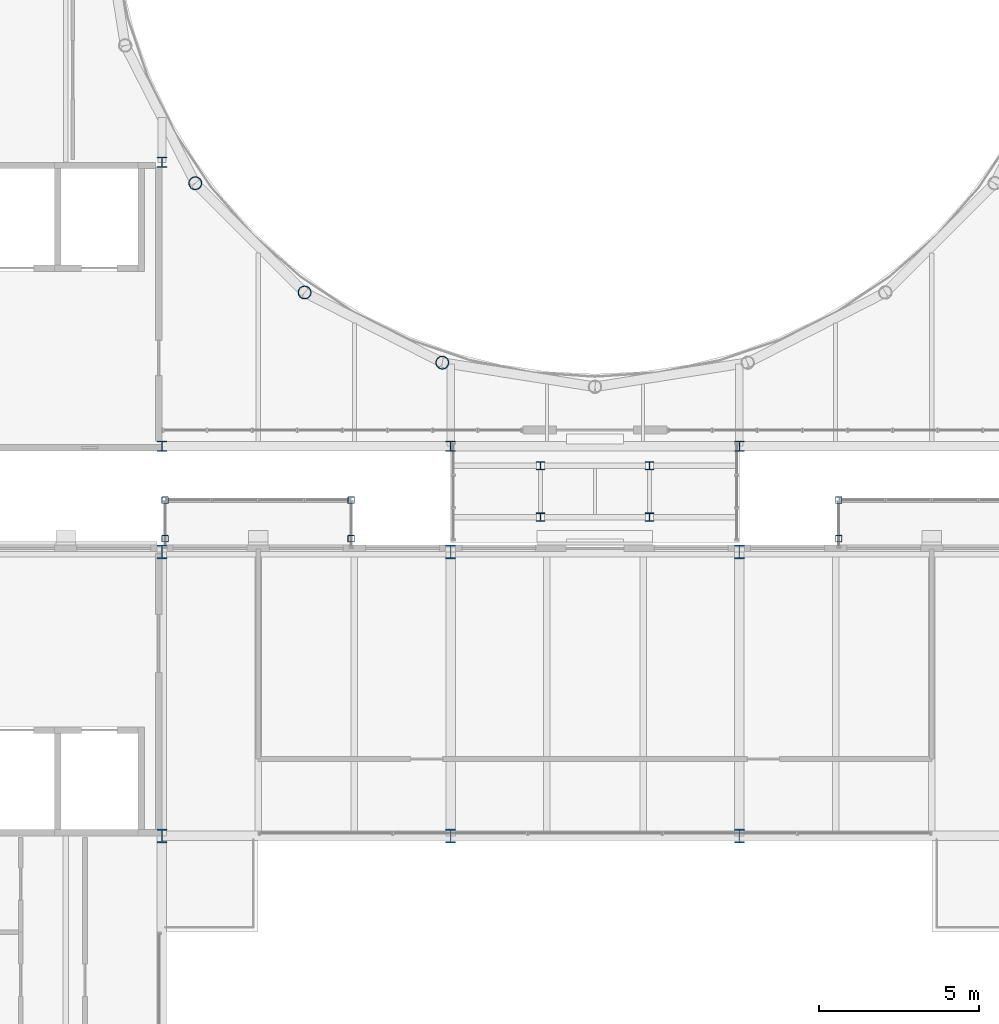
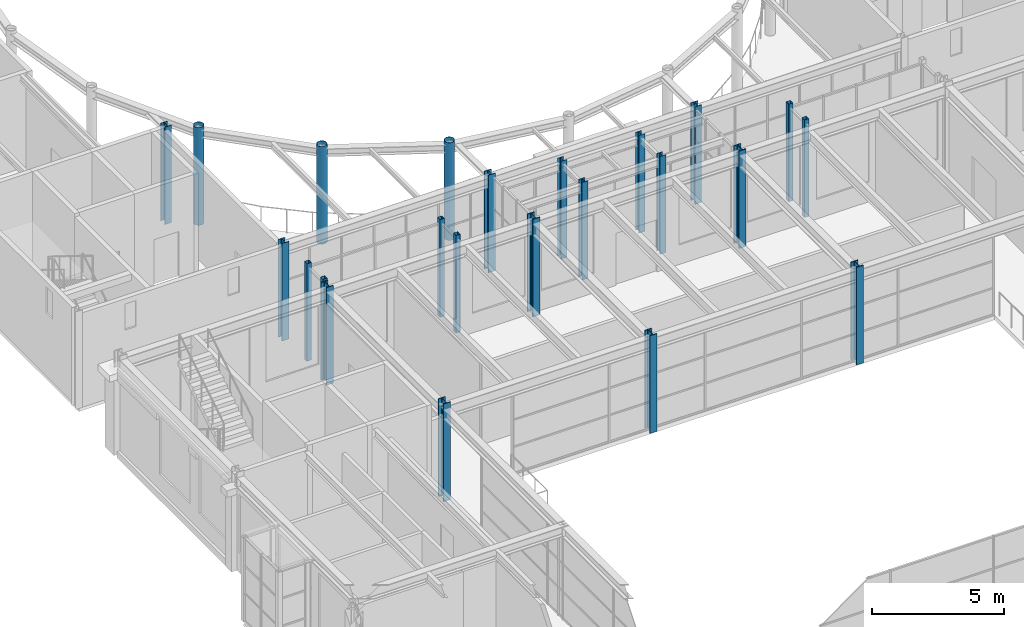
# One storey, part 8 of 111: 23 columns.
"""IFC4 building model written with IfcOpenShell, lengths in metres."""

from ifc_helpers import new_model, si_unit, direction, frame, origin, origin_2d, place, context, subcontext, project, spatial, hollow_rectangle, hollow_circle, i_section, extrude, material, material_profile, profile_set, type_object, element, save


model = new_model("IFC4")

# Units and contexts
model_context = context("Model", 3, precision=1e-05, world=origin(), true_north=direction((0.0, 1.0)))
body_context = subcontext(model_context, "Body", "Model", "MODEL_VIEW")
ifc_project = project(units=[si_unit("LENGTHUNIT", "METRE"), si_unit("AREAUNIT", "SQUARE_METRE"), si_unit("VOLUMEUNIT", "CUBIC_METRE"), si_unit("PLANEANGLEUNIT", "RADIAN"), si_unit("MASSUNIT", "GRAM", prefix="KILO")], contexts=[model_context])

# Site, building, storey
site_placement = place(None, origin())
site = spatial("IfcSite", under=ifc_project, at=site_placement, CompositionType="ELEMENT")
building_placement = place(site_placement, origin())
building = spatial("IfcBuilding", under=site, at=building_placement, Name="Kallimachos Central Library", CompositionType="ELEMENT")
storey_placement = place(building_placement, frame((0.0, 0.0, 14.39990234375)))
storey = spatial("IfcBuildingStorey", under=building, at=storey_placement, Name="L03", CompositionType="ELEMENT", Elevation=14.39990234375)

# Columns
ifc_material_1 = material(Name="Steel S355J2H", Category="steel")
ifc_material_profile_1 = material_profile(ifc_material_1, hollow_circle(Radius=0.203125, WallThickness=0.01611328125, at=origin_2d()), Name="CHS 406.4x16")
ifc_profile_set_1 = profile_set([ifc_material_profile_1], Name="Steel S355J2H")
column_type_1 = type_object("IfcColumnType", Name="CHS 406.4x16 column", PredefinedType="COLUMN", material=ifc_profile_set_1)
for number, where, z_axis, x_axis, name in (
    (1, (75.541015625, 95.34814453125, 0.0), (0.0, 0.0, 1.0), (1.0, 0.0, 0.0), "V1-COL-L03-027"),
    (2, (78.947998046875, 91.941162109375, 0.0), (0.0, 0.0, 1.0), (1.0, 0.0, 0.0), "V1-COL-L03-028"),
    (3, (83.2412109375, 89.753662109375, 0.0), (0.0, 0.0, 1.0), (1.0, 0.0, 0.0), "V1-COL-L03-029"),
):
    element("IfcColumn", number, at=place(storey_placement, frame(where, z_axis=z_axis, x_axis=x_axis)), inside=storey, type_object=column_type_1, Name=name, PredefinedType="COLUMN", context=body_context, shape_type="SweptSolid", body=[
        extrude(hollow_circle(Radius=0.203125, WallThickness=0.01611328125, at=origin_2d()), origin(), (0.0, 0.0, 1.0), 4.5),
    ])
ifc_material_2 = material(Name="Steel S355J2", Category="steel")
ifc_material_profile_2 = material_profile(ifc_material_2, i_section(OverallWidth=0.260009765625, OverallDepth=0.260009765625, WebThickness=0.010009765625, FlangeThickness=0.017578125, FilletRadius=0.02392578125, at=origin_2d()), Name="HEB 260")
ifc_profile_set_2 = profile_set([ifc_material_profile_2], Name="Steel S355J2")
column_type_2 = type_object("IfcColumnType", Name="HEB 260 column", PredefinedType="COLUMN", material=ifc_profile_set_2)
for number, where, z_axis, x_axis, name in (
    (4, (86.300048828125, 84.9375, 0.0), (0.0, 0.0, 1.0), (1.0, 0.0, 0.0), "Reading Link column"),
    (5, (86.300048828125, 86.53759765625, 0.0), (0.0, 0.0, 1.0), (1.0, 0.0, 0.0), "Reading Link column"),
    (6, (89.699951171875, 84.9375, 0.0), (0.0, 0.0, 1.0), (1.0, 0.0, 0.0), "Reading Link column"),
    (7, (89.699951171875, 86.53759765625, 0.0), (0.0, 0.0, 1.0), (1.0, 0.0, 0.0), "Reading Link column"),
):
    element("IfcColumn", number, at=place(storey_placement, frame(where, z_axis=z_axis, x_axis=x_axis)), inside=storey, type_object=column_type_2, Name=name, PredefinedType="COLUMN", context=body_context, shape_type="SweptSolid", body=[
        extrude(i_section(OverallWidth=0.260009765625, OverallDepth=0.260009765625, WebThickness=0.010009765625, FlangeThickness=0.017578125, FilletRadius=0.02392578125, at=origin_2d()), origin(), (0.0, 0.0, 1.0), 4.5),
    ])
ifc_material_3 = material(Name="Steel S355J2", Category="steel")
ifc_material_profile_3 = material_profile(ifc_material_3, i_section(OverallWidth=0.300048828125, OverallDepth=0.320068359375, WebThickness=0.011474609375, FlangeThickness=0.0205078125, FilletRadius=0.027099609375, at=origin_2d()), Name="HEB 320")
ifc_profile_set_3 = profile_set([ifc_material_profile_3], Name="Steel S355J2")
column_type_3 = type_object("IfcColumnType", Name="HEB 320 column", PredefinedType="COLUMN", material=ifc_profile_set_3)
for number, where, z_axis, x_axis, name in (
    (8, (74.5, 87.14990234375, 0.0), (0.0, 0.0, 1.0), (1.0, 0.0, 0.0), "V1-COL-L03-002"),
    (9, (83.5, 87.14990234375, 0.0), (0.0, 0.0, 1.0), (1.0, 0.0, 0.0), "V1-COL-L03-003"),
    (10, (92.5, 87.14990234375, 0.0), (0.0, 0.0, 1.0), (1.0, 0.0, 0.0), "V1-COL-L03-004"),
    (11, (74.5, 96.0, 0.0), (0.0, 0.0, 1.0), (1.0, 0.0, 0.0), "V1-COL-L03-008"),
):
    element("IfcColumn", number, at=place(storey_placement, frame(where, z_axis=z_axis, x_axis=x_axis)), inside=storey, type_object=column_type_3, Name=name, PredefinedType="COLUMN", context=body_context, shape_type="SweptSolid", body=[
        extrude(i_section(OverallWidth=0.300048828125, OverallDepth=0.320068359375, WebThickness=0.011474609375, FlangeThickness=0.0205078125, FilletRadius=0.027099609375, at=origin_2d()), origin(), (0.0, 0.0, 1.0), 4.5),
    ])
ifc_material_4 = material(Name="Steel S355J2", Category="steel")
ifc_material_profile_4 = material_profile(ifc_material_4, i_section(OverallWidth=0.306884765625, OverallDepth=0.431884765625, WebThickness=0.02099609375, FlangeThickness=0.0400390625, FilletRadius=0.027099609375, at=origin_2d()), Name="HEM 400")
ifc_profile_set_4 = profile_set([ifc_material_profile_4], Name="Steel S355J2")
column_type_4 = type_object("IfcColumnType", Name="HEM 400 column", PredefinedType="COLUMN", material=ifc_profile_set_4)
for number, where, z_axis, x_axis, name in (
    (12, (74.5, 75.0, 0.0), (0.0, 0.0, 1.0), (1.0, 0.0, 0.0), "V4-COL-L03-008"),
    (13, (83.5, 75.0, 0.0), (0.0, 0.0, 1.0), (1.0, 0.0, 0.0), "V4-COL-L03-009"),
    (14, (92.5, 75.0, 0.0), (0.0, 0.0, 1.0), (1.0, 0.0, 0.0), "V4-COL-L03-010"),
    (15, (74.5, 83.85009765625, 0.0), (0.0, 0.0, 1.0), (1.0, 0.0, 0.0), "V4-COL-L03-014"),
    (16, (83.5, 83.85009765625, 0.0), (0.0, 0.0, 1.0), (1.0, 0.0, 0.0), "V4-COL-L03-015"),
    (17, (92.5, 83.85009765625, 0.0), (0.0, 0.0, 1.0), (1.0, 0.0, 0.0), "V4-COL-L03-016"),
):
    element("IfcColumn", number, at=place(storey_placement, frame(where, z_axis=z_axis, x_axis=x_axis)), inside=storey, type_object=column_type_4, Name=name, PredefinedType="COLUMN", context=body_context, shape_type="SweptSolid", body=[
        extrude(i_section(OverallWidth=0.306884765625, OverallDepth=0.431884765625, WebThickness=0.02099609375, FlangeThickness=0.0400390625, FilletRadius=0.027099609375, at=origin_2d()), origin(), (0.0, 0.0, 1.0), 4.5),
    ])
ifc_material_5 = material(Name="Steel S355J2H", Category="steel")
ifc_material_profile_5 = material_profile(ifc_material_5, hollow_rectangle(XDim=0.199951171875, YDim=0.199951171875, WallThickness=0.010009765625, InnerFilletRadius=0.010009765625, OuterFilletRadius=0.014892578125, at=origin_2d()), Name="SHS 200x200x10")
ifc_profile_set_5 = profile_set([ifc_material_profile_5], Name="Steel S355J2H")
column_type_5 = type_object("IfcColumnType", Name="SHS 200x200x10 column", PredefinedType="COLUMN", material=ifc_profile_set_5)
for number, where, z_axis, x_axis, name in (
    (18, (74.60009765625, 84.26611328125, 0.0), (0.0, 0.0, 1.0), (1.0, 0.0, 0.0), "Tribune bay N1 column 1"),
    (19, (80.39990234375, 84.26611328125, 0.0), (0.0, 0.0, 1.0), (1.0, 0.0, 0.0), "Tribune bay N1 column 2"),
    (20, (74.60009765625, 85.466064453125, 0.0), (0.0, 0.0, 1.0), (1.0, 0.0, 0.0), "Tribune bay N1 column 3"),
    (21, (80.39990234375, 85.466064453125, 0.0), (0.0, 0.0, 1.0), (1.0, 0.0, 0.0), "Tribune bay N1 column 4"),
    (22, (95.60009765625, 84.26611328125, 0.0), (0.0, 0.0, 1.0), (1.0, 0.0, 0.0), "Tribune bay N2 column 1"),
    (23, (95.60009765625, 85.466064453125, 0.0), (0.0, 0.0, 1.0), (1.0, 0.0, 0.0), "Tribune bay N2 column 3"),
):
    element("IfcColumn", number, at=place(storey_placement, frame(where, z_axis=z_axis, x_axis=x_axis)), inside=storey, type_object=column_type_5, Name=name, PredefinedType="COLUMN", context=body_context, shape_type="SweptSolid", body=[
        extrude(hollow_rectangle(XDim=0.199951171875, YDim=0.199951171875, WallThickness=0.010009765625, InnerFilletRadius=0.010009765625, OuterFilletRadius=0.014892578125, at=origin_2d()), origin(), (0.0, 0.0, 1.0), 4.5),
    ])

save(model, "model.ifc")
